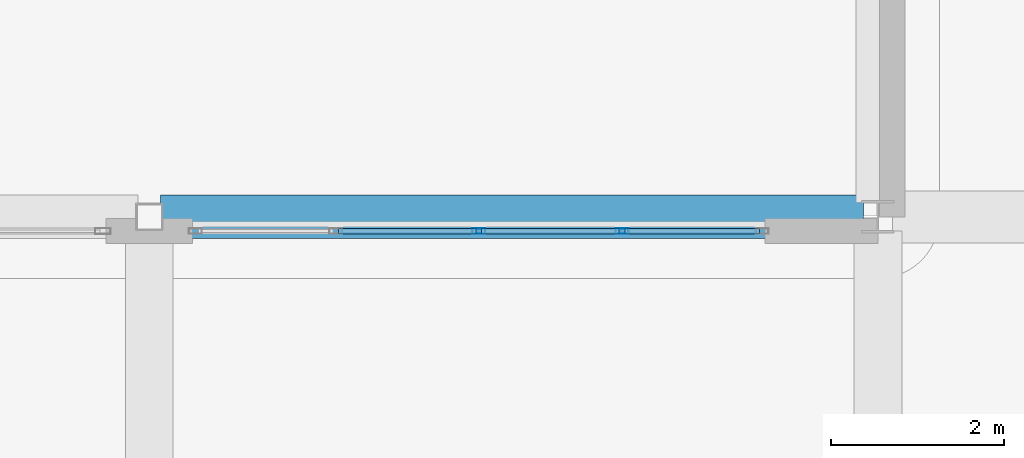
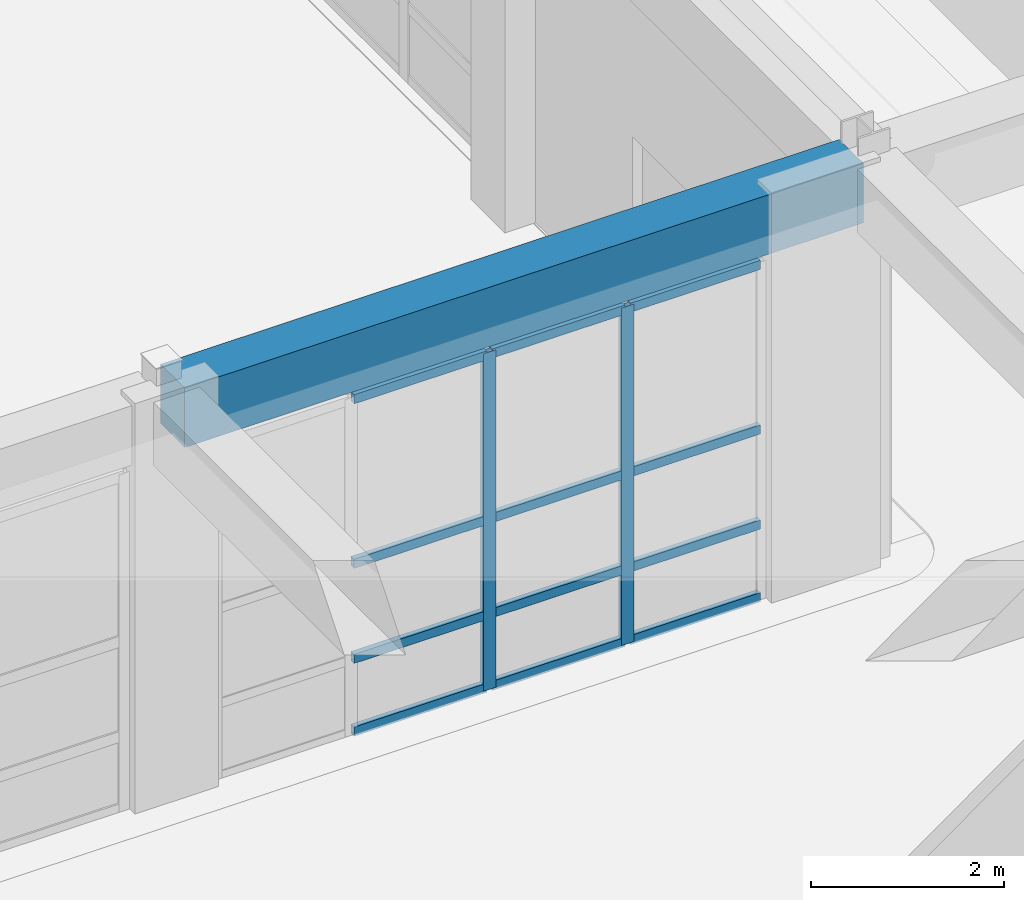
# One storey, part 43 of 148: 14 members, 1 beam, 1 element without a shape of its own.
"""IFC4 building model written with IfcOpenShell, lengths in metres."""

from ifc_helpers import new_model, si_unit, direction, frame, origin, origin_2d, place, context, subcontext, project, spatial, rectangle, hollow_rectangle, extrude, material, layer, layer_set, material_profile, profile_set, type_object, element, aggregate, save


model = new_model("IFC4")

# Units and contexts
model_context = context("Model", 3, precision=1e-05, world=origin(), true_north=direction((0.0, 1.0)))
body_context = subcontext(model_context, "Body", "Model", "MODEL_VIEW")
ifc_project = project(units=[si_unit("LENGTHUNIT", "METRE"), si_unit("AREAUNIT", "SQUARE_METRE"), si_unit("VOLUMEUNIT", "CUBIC_METRE"), si_unit("PLANEANGLEUNIT", "RADIAN"), si_unit("MASSUNIT", "GRAM", prefix="KILO")], contexts=[model_context])

# Site, building, storey
site_placement = place(None, origin())
site = spatial("IfcSite", under=ifc_project, at=site_placement, CompositionType="ELEMENT")
building_placement = place(site_placement, origin())
building = spatial("IfcBuilding", under=site, at=building_placement, Name="Quendrovan Civic Courthouse", CompositionType="ELEMENT")
storey_placement = place(building_placement, origin())
storey = spatial("IfcBuildingStorey", under=building, at=storey_placement, Name="L01", CompositionType="ELEMENT", Elevation=0.0)

# Beam
ifc_material_1 = material(Name="Concrete C40/50", Category="concrete")
ifc_material_profile_1 = material_profile(ifc_material_1, rectangle(XDim=0.5, YDim=0.75, at=origin_2d()), Name="RC-BM-500x750")
ifc_profile_set_1 = profile_set([ifc_material_profile_1], Name="Concrete C40/50")
beam_type = type_object("IfcBeamType", Name="BM-RC750", PredefinedType="SPANDREL", material=ifc_profile_set_1)
beam_placement = place(storey_placement, frame((25.330078125, 80.39990234375, 4.7451171875), z_axis=(1.0, 0.0, 0.0), x_axis=(0.0, 1.0, 0.0)))
element("IfcBeam", 1, at=beam_placement, inside=storey, type_object=beam_type, Name="L01 Girder X0310", PredefinedType="SPANDREL", context=body_context, shape_type="SweptSolid", body=[
    extrude(rectangle(XDim=0.5, YDim=0.75, at=origin_2d()), origin(), (0.0, 0.0, 1.0), 8.10302734375),
])

# Curtain wall, members
ifc_material_2 = material(Name="Bronze anodised aluminium and low-E glass", Category="aluminium")
ifc_layer = layer(ifc_material_2, 0.179931640625, Name="Bronze anodised aluminium and low-E glass")
ifc_layer_set = layer_set([ifc_layer], Name="Bronze anodised aluminium and low-E glass")
curtain_wall_type = type_object("IfcCurtainWallType", Name="CW-U66x43", PredefinedType="USERDEFINED", material=ifc_layer_set)
curtain_wall_placement = place(storey_placement, origin())
curtain_wall = element("IfcCurtainWall", 2, at=curtain_wall_placement, inside=storey, type_object=curtain_wall_type, Name="L01 Unitised Hurricane Curtain Wall CW-021", ObjectType="UNITISED CURTAIN WALL", PredefinedType="USERDEFINED")
ifc_material_3 = material(Name="Bronze anodised aluminium", Category="aluminium")
ifc_material_profile_2 = material_profile(ifc_material_3, hollow_rectangle(XDim=0.06494140625, YDim=0.14990234375, WallThickness=0.00390625, at=origin_2d()), Name="CW-MULL-65x150")
ifc_profile_set_2 = profile_set([ifc_material_profile_2], Name="Bronze anodised aluminium")
member_type_1 = type_object("IfcMemberType", Name="CW-MULL-B", PredefinedType="MULLION", material=ifc_profile_set_2)
member_1_placement = place(storey_placement, frame((29.0, 80.235107421875, 0.0), z_axis=(0.0, 0.0, 1.0), x_axis=(0.0, 1.0, 0.0)))
member_1 = element("IfcMember", 3, at=member_1_placement, type_object=member_type_1, Name="CW-021 mullion 3", PredefinedType="MULLION", context=body_context, shape_type="SweptSolid", body=[
    extrude(hollow_rectangle(XDim=0.06494140625, YDim=0.14990234375, WallThickness=0.00390625, at=origin_2d()), origin(), (0.0, 0.0, 1.0), 4.260009765625),
])
member_2_placement = place(storey_placement, frame((30.64990234375, 80.235107421875, 0.0), z_axis=(0.0, 0.0, 1.0), x_axis=(0.0, 1.0, 0.0)))
member_2 = element("IfcMember", 4, at=member_2_placement, type_object=member_type_1, Name="CW-021 mullion 4", PredefinedType="MULLION", context=body_context, shape_type="SweptSolid", body=[
    extrude(hollow_rectangle(XDim=0.06494140625, YDim=0.14990234375, WallThickness=0.00390625, at=origin_2d()), origin(), (0.0, 0.0, 1.0), 4.260009765625),
])
ifc_material_profile_3 = material_profile(ifc_material_3, hollow_rectangle(XDim=0.06494140625, YDim=0.114990234375, WallThickness=0.00390625, at=origin_2d()), Name="CW-TRAN-65x115")
ifc_profile_set_3 = profile_set([ifc_material_profile_3], Name="Bronze anodised aluminium")
member_type_2 = type_object("IfcMemberType", Name="CW-TRAN-B", PredefinedType="USERDEFINED", material=ifc_profile_set_3)
member_3_placement = place(storey_placement, frame((27.382568359375, 80.235107421875, 0.032470703125), z_axis=(1.0, 0.0, 0.0), x_axis=(0.0, 1.0, 0.0)))
member_3 = element("IfcMember", 5, at=member_3_placement, type_object=member_type_2, Name="CW-021 transom 2.1", ObjectType="TRANSOM", PredefinedType="USERDEFINED", context=body_context, shape_type="SweptSolid", body=[
    extrude(hollow_rectangle(XDim=0.06494140625, YDim=0.114990234375, WallThickness=0.00390625, at=origin_2d()), origin(), (0.0, 0.0, 1.0), 1.5849609375),
])
member_4_placement = place(storey_placement, frame((27.382568359375, 80.235107421875, 0.949951171875), z_axis=(1.0, 0.0, 0.0), x_axis=(0.0, 1.0, 0.0)))
member_4 = element("IfcMember", 6, at=member_4_placement, type_object=member_type_2, Name="CW-021 transom 2.2", ObjectType="TRANSOM", PredefinedType="USERDEFINED", context=body_context, shape_type="SweptSolid", body=[
    extrude(hollow_rectangle(XDim=0.06494140625, YDim=0.114990234375, WallThickness=0.00390625, at=origin_2d()), origin(), (0.0, 0.0, 1.0), 1.5849609375),
])
member_5_placement = place(storey_placement, frame((27.382568359375, 80.235107421875, 2.14990234375), z_axis=(1.0, 0.0, 0.0), x_axis=(0.0, 1.0, 0.0)))
member_5 = element("IfcMember", 7, at=member_5_placement, type_object=member_type_2, Name="CW-021 transom 2.3", ObjectType="TRANSOM", PredefinedType="USERDEFINED", context=body_context, shape_type="SweptSolid", body=[
    extrude(hollow_rectangle(XDim=0.06494140625, YDim=0.114990234375, WallThickness=0.00390625, at=origin_2d()), origin(), (0.0, 0.0, 1.0), 1.5849609375),
])
member_6_placement = place(storey_placement, frame((27.382568359375, 80.235107421875, 4.2275390625), z_axis=(1.0, 0.0, 0.0), x_axis=(0.0, 1.0, 0.0)))
member_6 = element("IfcMember", 8, at=member_6_placement, type_object=member_type_2, Name="CW-021 transom 2.4", ObjectType="TRANSOM", PredefinedType="USERDEFINED", context=body_context, shape_type="SweptSolid", body=[
    extrude(hollow_rectangle(XDim=0.06494140625, YDim=0.114990234375, WallThickness=0.00390625, at=origin_2d()), origin(), (0.0, 0.0, 1.0), 1.5849609375),
])
member_7_placement = place(storey_placement, frame((29.032470703125, 80.235107421875, 0.032470703125), z_axis=(1.0, 0.0, 0.0), x_axis=(0.0, 1.0, 0.0)))
member_7 = element("IfcMember", 9, at=member_7_placement, type_object=member_type_2, Name="CW-021 transom 3.1", ObjectType="TRANSOM", PredefinedType="USERDEFINED", context=body_context, shape_type="SweptSolid", body=[
    extrude(hollow_rectangle(XDim=0.06494140625, YDim=0.114990234375, WallThickness=0.00390625, at=origin_2d()), origin(), (0.0, 0.0, 1.0), 1.5849609375),
])
member_8_placement = place(storey_placement, frame((29.032470703125, 80.235107421875, 0.949951171875), z_axis=(1.0, 0.0, 0.0), x_axis=(0.0, 1.0, 0.0)))
member_8 = element("IfcMember", 10, at=member_8_placement, type_object=member_type_2, Name="CW-021 transom 3.2", ObjectType="TRANSOM", PredefinedType="USERDEFINED", context=body_context, shape_type="SweptSolid", body=[
    extrude(hollow_rectangle(XDim=0.06494140625, YDim=0.114990234375, WallThickness=0.00390625, at=origin_2d()), origin(), (0.0, 0.0, 1.0), 1.5849609375),
])
member_9_placement = place(storey_placement, frame((29.032470703125, 80.235107421875, 2.14990234375), z_axis=(1.0, 0.0, 0.0), x_axis=(0.0, 1.0, 0.0)))
member_9 = element("IfcMember", 11, at=member_9_placement, type_object=member_type_2, Name="CW-021 transom 3.3", ObjectType="TRANSOM", PredefinedType="USERDEFINED", context=body_context, shape_type="SweptSolid", body=[
    extrude(hollow_rectangle(XDim=0.06494140625, YDim=0.114990234375, WallThickness=0.00390625, at=origin_2d()), origin(), (0.0, 0.0, 1.0), 1.5849609375),
])
member_10_placement = place(storey_placement, frame((29.032470703125, 80.235107421875, 4.2275390625), z_axis=(1.0, 0.0, 0.0), x_axis=(0.0, 1.0, 0.0)))
member_10 = element("IfcMember", 12, at=member_10_placement, type_object=member_type_2, Name="CW-021 transom 3.4", ObjectType="TRANSOM", PredefinedType="USERDEFINED", context=body_context, shape_type="SweptSolid", body=[
    extrude(hollow_rectangle(XDim=0.06494140625, YDim=0.114990234375, WallThickness=0.00390625, at=origin_2d()), origin(), (0.0, 0.0, 1.0), 1.5849609375),
])
member_11_placement = place(storey_placement, frame((30.6826171875, 80.235107421875, 0.032470703125), z_axis=(1.0, 0.0, 0.0), x_axis=(0.0, 1.0, 0.0)))
member_11 = element("IfcMember", 13, at=member_11_placement, type_object=member_type_2, Name="CW-021 transom 4.1", ObjectType="TRANSOM", PredefinedType="USERDEFINED", context=body_context, shape_type="SweptSolid", body=[
    extrude(hollow_rectangle(XDim=0.06494140625, YDim=0.114990234375, WallThickness=0.00390625, at=origin_2d()), origin(), (0.0, 0.0, 1.0), 1.552490234375),
])
member_12_placement = place(storey_placement, frame((30.6826171875, 80.235107421875, 0.949951171875), z_axis=(1.0, 0.0, 0.0), x_axis=(0.0, 1.0, 0.0)))
member_12 = element("IfcMember", 14, at=member_12_placement, type_object=member_type_2, Name="CW-021 transom 4.2", ObjectType="TRANSOM", PredefinedType="USERDEFINED", context=body_context, shape_type="SweptSolid", body=[
    extrude(hollow_rectangle(XDim=0.06494140625, YDim=0.114990234375, WallThickness=0.00390625, at=origin_2d()), origin(), (0.0, 0.0, 1.0), 1.552490234375),
])
member_13_placement = place(storey_placement, frame((30.6826171875, 80.235107421875, 2.14990234375), z_axis=(1.0, 0.0, 0.0), x_axis=(0.0, 1.0, 0.0)))
member_13 = element("IfcMember", 15, at=member_13_placement, type_object=member_type_2, Name="CW-021 transom 4.3", ObjectType="TRANSOM", PredefinedType="USERDEFINED", context=body_context, shape_type="SweptSolid", body=[
    extrude(hollow_rectangle(XDim=0.06494140625, YDim=0.114990234375, WallThickness=0.00390625, at=origin_2d()), origin(), (0.0, 0.0, 1.0), 1.552490234375),
])
member_14_placement = place(storey_placement, frame((30.6826171875, 80.235107421875, 4.2275390625), z_axis=(1.0, 0.0, 0.0), x_axis=(0.0, 1.0, 0.0)))
member_14 = element("IfcMember", 16, at=member_14_placement, type_object=member_type_2, Name="CW-021 transom 4.4", ObjectType="TRANSOM", PredefinedType="USERDEFINED", context=body_context, shape_type="SweptSolid", body=[
    extrude(hollow_rectangle(XDim=0.06494140625, YDim=0.114990234375, WallThickness=0.00390625, at=origin_2d()), origin(), (0.0, 0.0, 1.0), 1.552490234375),
])
aggregate(curtain_wall, [member_1, member_2, member_3, member_4, member_5, member_6, member_7, member_8, member_9, member_10, member_11, member_12, member_13, member_14])

save(model, "model.ifc")
